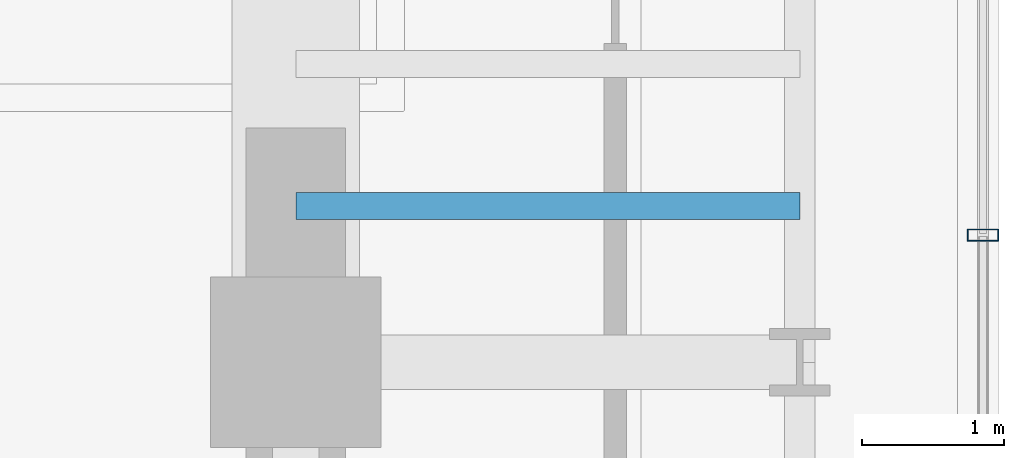
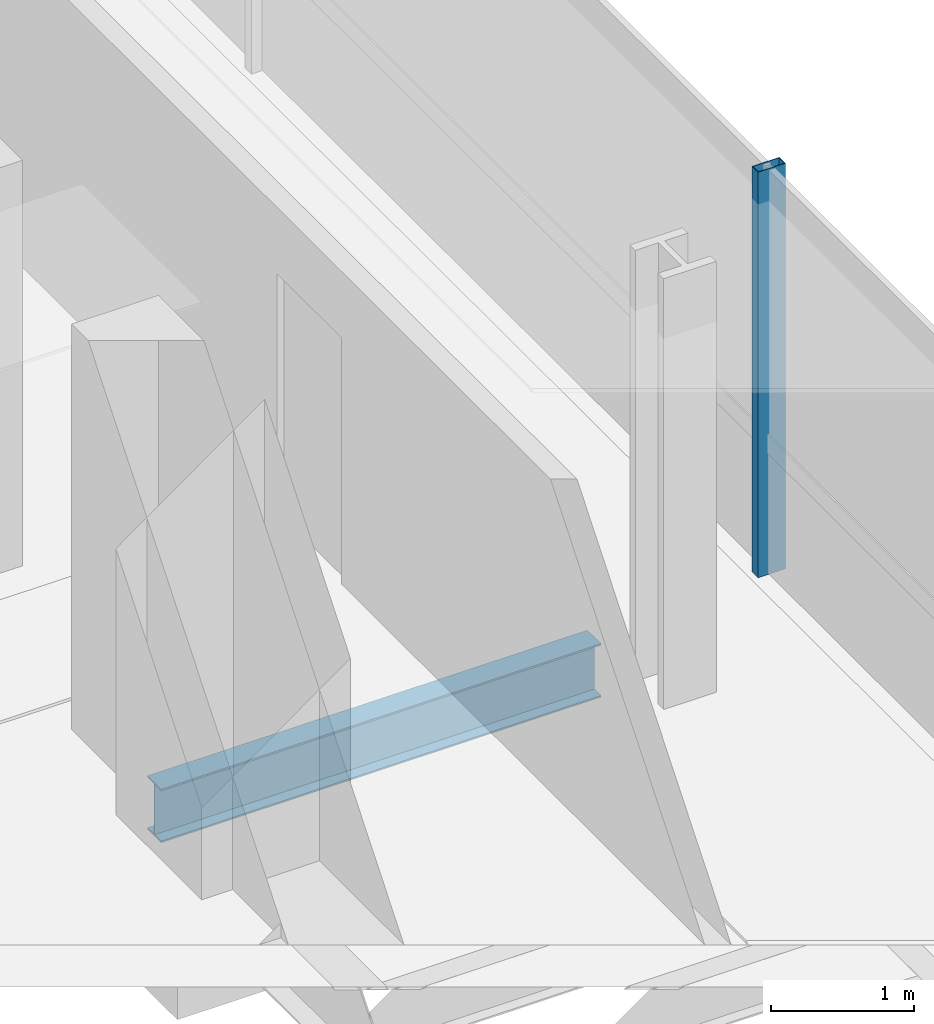
# One storey, part 13 of 34: 1 beam, 1 member, 1 element without a shape of its own.
"""IFC4 building model written with IfcOpenShell, lengths in metres."""

from ifc_helpers import new_model, si_unit, direction, frame, origin, origin_2d, place, context, subcontext, project, spatial, hollow_rectangle, i_section, extrude, source, transform, mapped, material, material_profile, profile_set, type_object, element, aggregate, save


model = new_model("IFC4")

# Units and contexts
model_context = context("Model", 3, precision=1e-05, world=origin(), true_north=direction((0.0, 1.0)))
body_context = subcontext(model_context, "Body", "Model", "MODEL_VIEW")
ifc_project = project(units=[si_unit("LENGTHUNIT", "METRE"), si_unit("AREAUNIT", "SQUARE_METRE"), si_unit("VOLUMEUNIT", "CUBIC_METRE"), si_unit("PLANEANGLEUNIT", "RADIAN"), si_unit("MASSUNIT", "GRAM", prefix="KILO")], contexts=[model_context])

# Site, building, storey
site_placement = place(None, origin())
site = spatial("IfcSite", under=ifc_project, at=site_placement, CompositionType="ELEMENT")
building_placement = place(site_placement, origin())
building = spatial("IfcBuilding", under=site, at=building_placement, Name="Valdorenza Pilgrim Sanctuary Tower", CompositionType="ELEMENT")
storey_placement = place(building_placement, frame((0.0, 0.0, 120.5)))
storey = spatial("IfcBuildingStorey", under=building, at=storey_placement, Name="L30", CompositionType="ELEMENT", Elevation=120.5)

# Beam
ifc_material_1 = material(Name="Steel ASTM A992 Grade 50", Category="steel")
ifc_material_profile_1 = material_profile(ifc_material_1, i_section(OverallWidth=0.19091796875, OverallDepth=0.45703125, WebThickness=0.009033203125, FlangeThickness=0.014404296875, at=origin_2d()), Name="W18X50")
ifc_profile_set_1 = profile_set([ifc_material_profile_1], Name="Steel ASTM A992 Grade 50")
beam_type = type_object("IfcBeamType", Name="STR-BM-JST-W18B", PredefinedType="JOIST", material=ifc_profile_set_1)
shared_shape_1 = source(origin(), body_context, "Body", "SweptSolid", [
    extrude(i_section(OverallWidth=0.19091796875, OverallDepth=0.45703125, WebThickness=0.009033203125, FlangeThickness=0.014404296875, at=origin_2d()), origin(), (0.0, 0.0, 1.0), 3.5498046875),
])
beam_placement = place(storey_placement, frame((24.85009765625, -1.5, -0.468505859375), z_axis=(1.0, 0.0, 0.0), x_axis=(0.0, 1.0, 0.0)))
element("IfcBeam", 1, at=beam_placement, inside=storey, type_object=beam_type, Name="L30 Composite Floor Joist JST-WB-8", PredefinedType="JOIST", context=body_context, shape_type="MappedRepresentation", body=[
    mapped(shared_shape_1, transform((0.0, 0.0, 0.0), x_axis=(1.0, 0.0, 0.0), y_axis=(0.0, 1.0, 0.0), z_axis=(0.0, 0.0, 1.0), scale=1.0)),
])

# Curtain wall, member
ifc_material_2 = material(Name="Curtain-wall IGU glazing", Category="glass")
curtain_wall_type = type_object("IfcCurtainWallType", Name="CW-SYS-03", PredefinedType="NOTDEFINED", material=ifc_material_2)
curtain_wall_placement = place(storey_placement, origin())
curtain_wall = element("IfcCurtainWall", 2, at=curtain_wall_placement, inside=storey, type_object=curtain_wall_type, Name="L30 Curtain Wall CW-L30-1-21", PredefinedType="NOTDEFINED")
ifc_material_3 = material(Name="Anodised aluminium AW-6060", Category="aluminium")
ifc_material_profile_2 = material_profile(ifc_material_3, hollow_rectangle(XDim=0.0849609375, YDim=0.219970703125, WallThickness=0.0048828125, at=origin_2d()), Name="ALU-M 220x85x5")
ifc_profile_set_2 = profile_set([ifc_material_profile_2], Name="Anodised aluminium AW-6060")
member_type = type_object("IfcMemberType", Name="CW-MUL-03", PredefinedType="MULLION", material=ifc_profile_set_2)
shared_shape_2 = source(origin(), body_context, "Body", "SweptSolid", [
    extrude(hollow_rectangle(XDim=0.0849609375, YDim=0.219970703125, WallThickness=0.0048828125, at=origin_2d()), origin(), (0.0, 0.0, 1.0), 3.4599609375),
])
member_placement = place(storey_placement, frame((29.68994140625, -1.7041015625, 0.0), z_axis=(0.0, 0.0, 1.0), x_axis=(0.0, -1.0, 0.0)))
member = element("IfcMember", 3, at=member_placement, type_object=member_type, Name="CW-L30-1-21 Mullion 3", PredefinedType="MULLION", context=body_context, shape_type="MappedRepresentation", body=[
    mapped(shared_shape_2, transform((0.0, 0.0, 0.0), x_axis=(1.0, 0.0, 0.0), y_axis=(0.0, 1.0, 0.0), z_axis=(0.0, 0.0, 1.0), scale=1.0)),
])
aggregate(curtain_wall, [member])

save(model, "model.ifc")
